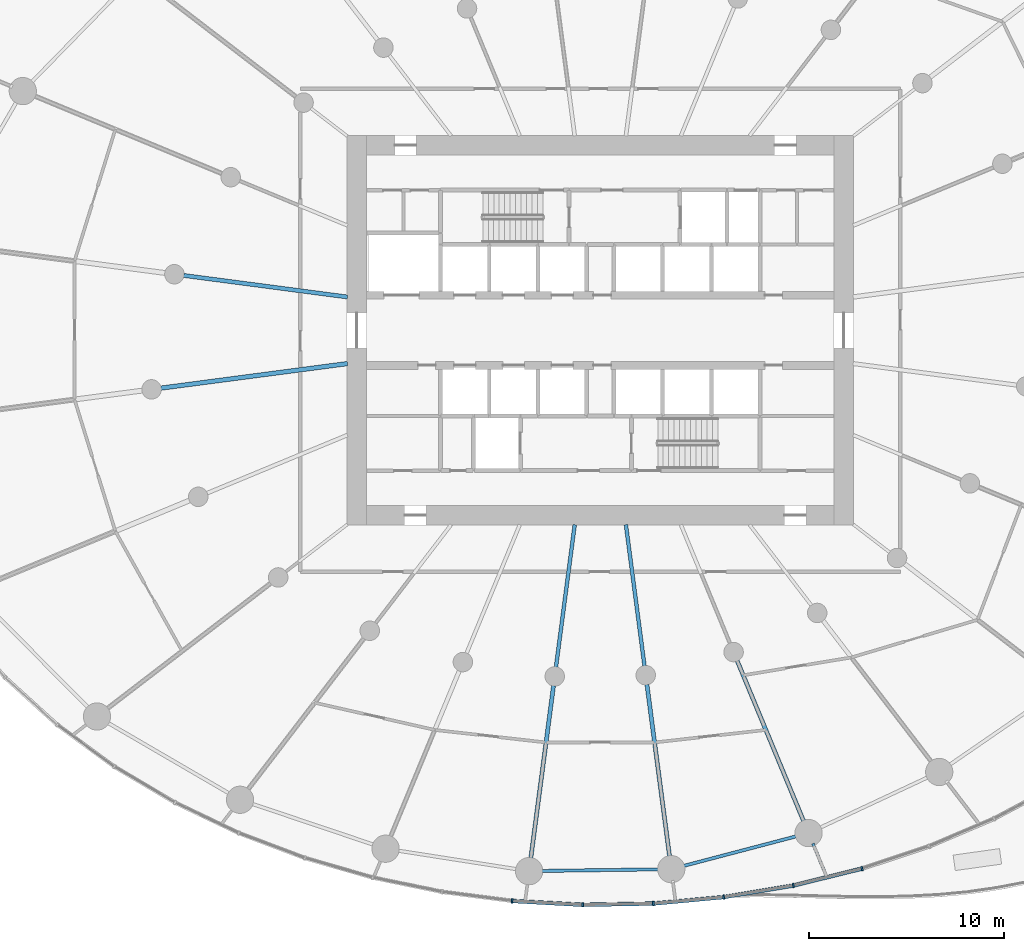
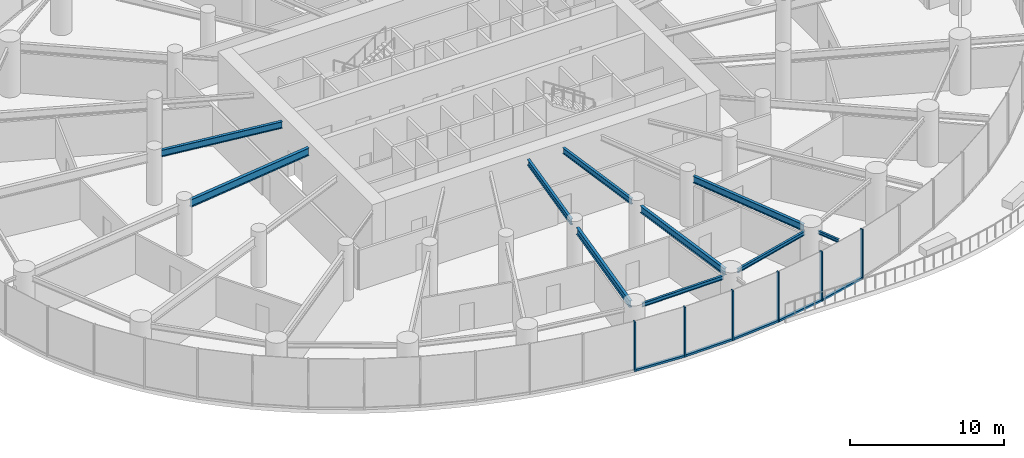
# One storey, part 3 of 21: 11 members, 10 beams, 2 elements without a shape of their own.
"""IFC4 building model written with IfcOpenShell, lengths in metres."""

from ifc_helpers import new_model, si_unit, direction, frame, origin, origin_2d, place, context, subcontext, project, spatial, rectangle, i_section, extrude, source, transform, mapped, material, layer, layer_set, material_profile, profile_set, type_object, element, aggregate, save


model = new_model("IFC4")

# Units and contexts
model_context = context("Model", 3, precision=1e-05, world=origin(), true_north=direction((0.0, 1.0)))
body_context = subcontext(model_context, "Body", "Model", "MODEL_VIEW")
ifc_project = project(units=[si_unit("LENGTHUNIT", "METRE"), si_unit("AREAUNIT", "SQUARE_METRE"), si_unit("VOLUMEUNIT", "CUBIC_METRE"), si_unit("PLANEANGLEUNIT", "RADIAN"), si_unit("MASSUNIT", "GRAM", prefix="KILO")], contexts=[model_context])

# Site, building, storey
site_placement = place(None, origin())
site = spatial("IfcSite", under=ifc_project, at=site_placement, CompositionType="ELEMENT")
building_placement = place(site_placement, origin())
building = spatial("IfcBuilding", under=site, at=building_placement, Name="Spindrift Exchange Tower", CompositionType="ELEMENT")
storey_placement = place(building_placement, frame((0.0, 0.0, 18.199951171875)))
storey = spatial("IfcBuildingStorey", under=building, at=storey_placement, Name="L04", CompositionType="ELEMENT", Elevation=18.199951171875)

# Beams
ifc_material_1 = material(Name="Steel Grade 300", Category="steel")
ifc_material_profile_1 = material_profile(ifc_material_1, i_section(OverallWidth=0.22802734375, OverallDepth=0.60693359375, WebThickness=0.01123046875, FlangeThickness=0.017333984375, FilletRadius=0.013916015625, at=origin_2d()), Name="610UB113")
ifc_profile_set_1 = profile_set([ifc_material_profile_1], Name="Steel Grade 300")
beam_type_1 = type_object("IfcBeamType", Name="Floor Beam 610UB113 Steel Grade 300", PredefinedType="BEAM", material=ifc_profile_set_1)
shared_shape_1 = source(origin(), body_context, "Body", "SweptSolid", [
    extrude(i_section(OverallWidth=0.22802734375, OverallDepth=0.60693359375, WebThickness=0.01123046875, FlangeThickness=0.017333984375, FilletRadius=0.013916015625, at=origin_2d()), origin(), (0.0, 0.0, 1.0), 9.660400390625),
])
beam_1_placement = place(storey_placement, frame((39.019775390625, 46.291015625, 3.646484375), z_axis=(-0.99144767089, -0.130504850054, 0.0), x_axis=(0.130504850054, -0.99144767089, 0.0)))
element("IfcBeam", 1, at=beam_1_placement, inside=storey, type_object=beam_type_1, Name="L04 radial beam R13A", PredefinedType="BEAM", context=body_context, shape_type="MappedRepresentation", body=[
    mapped(shared_shape_1, transform((0.0, 0.0, 0.0), scale=1.0)),
])
ifc_material_profile_2 = material_profile(ifc_material_1, i_section(OverallWidth=0.18994140625, OverallDepth=0.45703125, WebThickness=0.009033203125, FlangeThickness=0.014404296875, FilletRadius=0.013916015625, at=origin_2d()), Name="460UB74.6")
ifc_profile_set_2 = profile_set([ifc_material_profile_2], Name="Steel Grade 300")
beam_type_2 = type_object("IfcBeamType", Name="Floor Beam 460UB74.6 Steel Grade 300", PredefinedType="BEAM", material=ifc_profile_set_2)
shared_shape_2 = source(origin(), body_context, "Body", "SweptSolid", [
    extrude(i_section(OverallWidth=0.18994140625, OverallDepth=0.45703125, WebThickness=0.009033203125, FlangeThickness=0.014404296875, FilletRadius=0.013916015625, at=origin_2d()), origin(), (0.0, 0.0, 1.0), 7.374267578125),
])
beam_2_placement = place(storey_placement, frame((50.68603515625, 38.019775390625, 3.721435546875), z_axis=(-0.130539295622, -0.99144313619, 0.0), x_axis=(0.99144313619, -0.130539295622, 0.0)))
element("IfcBeam", 2, at=beam_2_placement, inside=storey, type_object=beam_type_2, Name="L04 radial beam R18A", PredefinedType="BEAM", context=body_context, shape_type="MappedRepresentation", body=[
    mapped(shared_shape_2, transform((0.0, 0.0, 0.0), scale=1.0)),
])
ifc_material_profile_3 = material_profile(ifc_material_1, i_section(OverallWidth=0.208984375, OverallDepth=0.532958984375, WebThickness=0.01025390625, FlangeThickness=0.015625, FilletRadius=0.013916015625, at=origin_2d()), Name="530UB92.4")
ifc_profile_set_3 = profile_set([ifc_material_profile_3], Name="Steel Grade 300")
beam_type_3 = type_object("IfcBeamType", Name="Floor Beam 530UB92.4 Steel Grade 300", PredefinedType="BEAM", material=ifc_profile_set_3)
shared_shape_3 = source(origin(), body_context, "Body", "SweptSolid", [
    extrude(i_section(OverallWidth=0.208984375, OverallDepth=0.532958984375, WebThickness=0.01025390625, FlangeThickness=0.015625, FilletRadius=0.013916015625, at=origin_2d()), origin(), (0.0, 0.0, 1.0), 9.020263671875),
])
beam_3_placement = place(storey_placement, frame((49.59814453125, 29.7568359375, 3.68359375), z_axis=(-0.13051122338, -0.991446831944, 0.0), x_axis=(0.991446831944, -0.13051122338, 0.0)))
element("IfcBeam", 3, at=beam_3_placement, inside=storey, type_object=beam_type_3, Name="L04 radial beam R18B", PredefinedType="BEAM", context=body_context, shape_type="MappedRepresentation", body=[
    mapped(shared_shape_3, transform((0.0, 0.0, 0.0), scale=1.0)),
])
shared_shape_4 = source(origin(), body_context, "Body", "SweptSolid", [
    extrude(i_section(OverallWidth=0.18994140625, OverallDepth=0.45703125, WebThickness=0.009033203125, FlangeThickness=0.014404296875, FilletRadius=0.013916015625, at=origin_2d()), origin(), (0.0, 0.0, 1.0), 7.3095703125),
])
beam_4_placement = place(storey_placement, frame((53.31396484375, 38.019775390625, 3.721435546875), z_axis=(0.130527087244, -0.991444743541, 0.0), x_axis=(0.991444743541, 0.130527087244, 0.0)))
element("IfcBeam", 4, at=beam_4_placement, inside=storey, type_object=beam_type_2, Name="L04 radial beam R19A", PredefinedType="BEAM", context=body_context, shape_type="MappedRepresentation", body=[
    mapped(shared_shape_4, transform((0.0, 0.0, 0.0), scale=1.0)),
])
shared_shape_5 = source(origin(), body_context, "Body", "SweptSolid", [
    extrude(i_section(OverallWidth=0.208984375, OverallDepth=0.532958984375, WebThickness=0.01025390625, FlangeThickness=0.015625, FilletRadius=0.013916015625, at=origin_2d()), origin(), (0.0, 0.0, 1.0), 8.98388671875),
])
beam_5_placement = place(storey_placement, frame((54.393310546875, 29.82080078125, 3.68359375), z_axis=(0.130524106785, -0.991445135924, 0.0), x_axis=(0.991445135924, 0.130524106785, 0.0)))
element("IfcBeam", 5, at=beam_5_placement, inside=storey, type_object=beam_type_3, Name="L04 radial beam R19B", PredefinedType="BEAM", context=body_context, shape_type="MappedRepresentation", body=[
    mapped(shared_shape_5, transform((0.0, 0.0, 0.0), scale=1.0)),
])
shared_shape_6 = source(origin(), body_context, "Body", "SweptSolid", [
    extrude(i_section(OverallWidth=0.208984375, OverallDepth=0.532958984375, WebThickness=0.01025390625, FlangeThickness=0.015625, FilletRadius=0.013916015625, at=origin_2d()), origin(), (0.0, 0.0, 1.0), 8.99658203125),
])
beam_6_placement = place(storey_placement, frame((59.025390625, 31.0390625, 3.68359375), z_axis=(0.382685731718, -0.923878580085, 0.0), x_axis=(0.923878580085, 0.382685731718, 0.0)))
element("IfcBeam", 6, at=beam_6_placement, inside=storey, type_object=beam_type_3, Name="L04 radial beam R20B", PredefinedType="BEAM", context=body_context, shape_type="MappedRepresentation", body=[
    mapped(shared_shape_6, transform((0.0, 0.0, 0.0), scale=1.0)),
])
ifc_material_profile_4 = material_profile(ifc_material_1, i_section(OverallWidth=0.14599609375, OverallDepth=0.251953125, WebThickness=0.006103515625, FlangeThickness=0.008544921875, FilletRadius=0.011962890625, at=origin_2d()), Name="250UB31.4")
ifc_profile_set_4 = profile_set([ifc_material_profile_4], Name="Steel Grade 300")
beam_type_4 = type_object("IfcBeamType", Name="Cantilever Beam 250UB31.4 Steel Grade 300", PredefinedType="BEAM", material=ifc_profile_set_4)
shared_shape_7 = source(origin(), body_context, "Body", "SweptSolid", [
    extrude(i_section(OverallWidth=0.14599609375, OverallDepth=0.251953125, WebThickness=0.006103515625, FlangeThickness=0.008544921875, FilletRadius=0.011962890625, at=origin_2d()), origin(), (0.0, 0.0, 1.0), 1.677978515625),
])
beam_7_placement = place(storey_placement, frame((62.912109375, 21.655517578125, 3.823974609375), z_axis=(0.382775805905, -0.923841264728, 0.0), x_axis=(0.923841264728, 0.382775805905, 0.0)))
element("IfcBeam", 7, at=beam_7_placement, inside=storey, type_object=beam_type_4, Name="L04 cantilever beam R20T", PredefinedType="BEAM", context=body_context, shape_type="MappedRepresentation", body=[
    mapped(shared_shape_7, transform((0.0, 0.0, 0.0), scale=1.0)),
])
shared_shape_8 = source(origin(), body_context, "Body", "SweptSolid", [
    extrude(i_section(OverallWidth=0.208984375, OverallDepth=0.532958984375, WebThickness=0.01025390625, FlangeThickness=0.015625, FilletRadius=0.013916015625, at=origin_2d()), origin(), (0.0, 0.0, 1.0), 8.4794921875),
])
beam_8_placement = place(storey_placement, frame((39.019775390625, 49.708984375, 3.68359375), z_axis=(-0.991446551951, 0.13051335037, 0.0), x_axis=(-0.13051335037, -0.991446551951, 0.0)))
element("IfcBeam", 8, at=beam_8_placement, inside=storey, type_object=beam_type_3, Name="L04 radial beam R12A", PredefinedType="BEAM", context=body_context, shape_type="MappedRepresentation", body=[
    mapped(shared_shape_8, transform((0.0, 0.0, 0.0), scale=1.0)),
])
ifc_material_profile_5 = material_profile(ifc_material_1, i_section(OverallWidth=0.1650390625, OverallDepth=0.303955078125, WebThickness=0.006103515625, FlangeThickness=0.01025390625, FilletRadius=0.011474609375, at=origin_2d()), Name="310UB40.4")
ifc_profile_set_5 = profile_set([ifc_material_profile_5], Name="Steel Grade 300")
beam_type_5 = type_object("IfcBeamType", Name="Edge Beam 310UB40.4 Steel Grade 300", PredefinedType="SPANDREL", material=ifc_profile_set_5)
shared_shape_9 = source(origin(), body_context, "Body", "SweptSolid", [
    extrude(i_section(OverallWidth=0.1650390625, OverallDepth=0.303955078125, WebThickness=0.006103515625, FlangeThickness=0.01025390625, FilletRadius=0.011474609375, at=origin_2d()), origin(), (0.0, 0.0, 1.0), 6.13720703125),
])
beam_9_placement = place(storey_placement, frame((48.925048828125, 20.24658203125, 3.798095703125), z_axis=(0.999905820907, 0.013724041543, 0.0), x_axis=(-0.013724041543, 0.999905820907, 0.0)))
element("IfcBeam", 9, at=beam_9_placement, inside=storey, type_object=beam_type_5, Name="L04 edge beam E18", PredefinedType="SPANDREL", context=body_context, shape_type="MappedRepresentation", body=[
    mapped(shared_shape_9, transform((0.0, 0.0, 0.0), scale=1.0)),
])
shared_shape_10 = source(origin(), body_context, "Body", "SweptSolid", [
    extrude(i_section(OverallWidth=0.1650390625, OverallDepth=0.303955078125, WebThickness=0.006103515625, FlangeThickness=0.01025390625, FilletRadius=0.011474609375, at=origin_2d()), origin(), (0.0, 0.0, 1.0), 6.128173828125),
])
beam_10_placement = place(storey_placement, frame((56.20263671875, 20.486083984375, 3.798095703125), z_axis=(0.967147261855, 0.254216785216, 0.0), x_axis=(-0.254216785216, 0.967147261855, 0.0)))
element("IfcBeam", 10, at=beam_10_placement, inside=storey, type_object=beam_type_5, Name="L04 edge beam E19", PredefinedType="SPANDREL", context=body_context, shape_type="MappedRepresentation", body=[
    mapped(shared_shape_10, transform((0.0, 0.0, 0.0), scale=1.0)),
])

# Curtain wall, members
ifc_material_2 = material(Name="Fritted laminated glass with bronze frame", Category="glass")
ifc_layer = layer(ifc_material_2, 0.219970703125)
ifc_layer_set = layer_set([ifc_layer], Name="PODIUM BRONZE GLAZED WALL")
curtain_wall_type = type_object("IfcCurtainWallType", Name="PODIUM BRONZE GLAZED WALL", PredefinedType="NOTDEFINED", material=ifc_layer_set)
curtain_wall_1_placement = place(storey_placement, origin())
curtain_wall_1 = element("IfcCurtainWall", 11, at=curtain_wall_1_placement, inside=storey, type_object=curtain_wall_type, Name="L04 Podium Bronze Glazed Wall run 8", PredefinedType="NOTDEFINED")
ifc_material_3 = material(Name="Bronze anodised aluminium", Category="aluminium")
ifc_material_profile_6 = material_profile(ifc_material_3, rectangle(XDim=0.090087890625, YDim=0.219970703125, at=origin_2d()), Name="PODIUM BRONZE GLAZED WALL MULLION 90X220")
ifc_profile_set_6 = profile_set([ifc_material_profile_6], Name="Bronze anodised aluminium")
member_type_1 = type_object("IfcMemberType", Name="PODIUM BRONZE GLAZED WALL MULLION 90X220", PredefinedType="MULLION", material=ifc_profile_set_6)
shared_shape_11 = source(origin(), body_context, "Body", "SweptSolid", [
    extrude(rectangle(XDim=0.090087890625, YDim=0.219970703125, at=origin_2d()), origin(), (0.0, 0.0, 1.0), 3.949951171875),
])
member_1_placement = place(storey_placement, frame((47.470947265625, 18.706298828125, 0.0), z_axis=(0.0, 0.0, 1.0), x_axis=(0.995826086123, -0.09127105892, 0.0)))
member_1 = element("IfcMember", 12, at=member_1_placement, type_object=member_type_1, Name="L04 mullion CW-P.44", PredefinedType="MULLION", context=body_context, shape_type="MappedRepresentation", body=[
    mapped(shared_shape_11, transform((0.0, 0.0, 0.0), scale=1.0)),
])
member_2_placement = place(storey_placement, frame((51.093017578125, 18.50830078125, 0.0), z_axis=(0.0, 0.0, 1.0), x_axis=(0.999833990796, -0.018220616052, 0.0)))
member_2 = element("IfcMember", 13, at=member_2_placement, type_object=member_type_1, Name="L04 mullion CW-P.45", PredefinedType="MULLION", context=body_context, shape_type="MappedRepresentation", body=[
    mapped(shared_shape_11, transform((0.0, 0.0, 0.0), scale=1.0)),
])
member_3_placement = place(storey_placement, frame((54.7197265625, 18.57421875, 0.0), z_axis=(0.0, 0.0, 1.0), x_axis=(0.998502626093, 0.054703799552, 0.0)))
member_3 = element("IfcMember", 14, at=member_3_placement, type_object=member_type_1, Name="L04 mullion CW-P.46", PredefinedType="MULLION", context=body_context, shape_type="MappedRepresentation", body=[
    mapped(shared_shape_11, transform((0.0, 0.0, 0.0), scale=1.0)),
])
member_4_placement = place(storey_placement, frame((58.33203125, 18.90478515625, 0.0), z_axis=(0.0, 0.0, 1.0), x_axis=(0.991779042534, 0.127962224075, 0.0)))
member_4 = element("IfcMember", 15, at=member_4_placement, type_object=member_type_1, Name="L04 mullion CW-P.47", PredefinedType="MULLION", context=body_context, shape_type="MappedRepresentation", body=[
    mapped(shared_shape_11, transform((0.0, 0.0, 0.0), scale=1.0)),
])
member_5_placement = place(storey_placement, frame((61.909912109375, 19.501953125, 0.0), z_axis=(0.0, 0.0, 1.0), x_axis=(0.979401994685, 0.201920114915, 0.0)))
member_5 = element("IfcMember", 16, at=member_5_placement, type_object=member_type_1, Name="L04 mullion CW-P.48", PredefinedType="MULLION", context=body_context, shape_type="MappedRepresentation", body=[
    mapped(shared_shape_11, transform((0.0, 0.0, 0.0), scale=1.0)),
])

# Curtain wall, member
curtain_wall_2_placement = place(storey_placement, origin())
curtain_wall_2 = element("IfcCurtainWall", 17, at=curtain_wall_2_placement, inside=storey, type_object=curtain_wall_type, Name="L04 Podium Bronze Glazed Wall run 9", PredefinedType="NOTDEFINED")
member_6_placement = place(storey_placement, frame((65.43212890625, 20.36865234375, 0.0), z_axis=(0.0, 0.0, 1.0), x_axis=(0.960884228784, 0.276950354529, 0.0)))
member_6 = element("IfcMember", 18, at=member_6_placement, type_object=member_type_1, Name="L04 mullion CW-P.49", PredefinedType="MULLION", context=body_context, shape_type="MappedRepresentation", body=[
    mapped(shared_shape_11, transform((0.0, 0.0, 0.0), scale=1.0)),
])
aggregate(curtain_wall_2, [member_6])

# Member
ifc_material_profile_7 = material_profile(ifc_material_3, rectangle(XDim=0.199951171875, YDim=0.159912109375, at=origin_2d()), Name="PODIUM BRONZE GLAZED WALL TRANSOM 200X160")
ifc_profile_set_7 = profile_set([ifc_material_profile_7], Name="Bronze anodised aluminium")
member_type_2 = type_object("IfcMemberType", Name="PODIUM BRONZE GLAZED WALL TRANSOM 200X160", PredefinedType="USERDEFINED", material=ifc_profile_set_7)
shared_shape_12 = source(origin(), body_context, "Body", "SweptSolid", [
    extrude(rectangle(XDim=0.199951171875, YDim=0.159912109375, at=origin_2d()), origin(), (0.0, 0.0, 1.0), 3.537353515625),
])
member_7_placement = place(storey_placement, frame((51.137939453125, 18.509033203125, 0.080078125), z_axis=(0.999833998204, 0.018220209534, 0.0), x_axis=(-0.018220209534, 0.999833998204, 0.0)))
member_7 = element("IfcMember", 19, at=member_7_placement, type_object=member_type_2, Name="L04 transom CW-P.45", ObjectType="TRANSOM", PredefinedType="USERDEFINED", context=body_context, shape_type="MappedRepresentation", body=[
    mapped(shared_shape_12, transform((0.0, 0.0, 0.0), scale=1.0)),
])

member_8_placement = place(storey_placement, frame((54.7646484375, 18.578369140625, 0.080078125), z_axis=(0.995835302099, 0.091170450764, 0.0), x_axis=(-0.091170450764, 0.995835302099, 0.0)))
member_8 = element("IfcMember", 20, at=member_8_placement, type_object=member_type_2, Name="L04 transom CW-P.46", ObjectType="TRANSOM", PredefinedType="USERDEFINED", context=body_context, shape_type="MappedRepresentation", body=[
    mapped(shared_shape_12, transform((0.0, 0.0, 0.0), scale=1.0)),
])

member_9_placement = place(storey_placement, frame((61.95361328125, 19.5126953125, 0.080078125), z_axis=(0.971033112864, 0.238944959609, 0.0), x_axis=(-0.238944959609, 0.971033112864, 0.0)))
member_9 = element("IfcMember", 21, at=member_9_placement, type_object=member_type_2, Name="L04 transom CW-P.48", ObjectType="TRANSOM", PredefinedType="USERDEFINED", context=body_context, shape_type="MappedRepresentation", body=[
    mapped(shared_shape_12, transform((0.0, 0.0, 0.0), scale=1.0)),
])

shared_shape_13 = source(origin(), body_context, "Body", "SweptSolid", [
    extrude(rectangle(XDim=0.199951171875, YDim=0.159912109375, at=origin_2d()), origin(), (0.0, 0.0, 1.0), 3.53759765625),
])
member_10_placement = place(storey_placement, frame((47.515869140625, 18.703857421875, 0.080078125), z_axis=(0.998508807536, -0.054590853384, 0.0), x_axis=(0.054590853384, 0.998508807536, 0.0)))
member_10 = element("IfcMember", 22, at=member_10_placement, type_object=member_type_2, Name="L04 transom CW-P.44", ObjectType="TRANSOM", PredefinedType="USERDEFINED", context=body_context, shape_type="MappedRepresentation", body=[
    mapped(shared_shape_13, transform((0.0, 0.0, 0.0), scale=1.0)),
])

member_11_placement = place(storey_placement, frame((58.37646484375, 18.912353515625, 0.080078125), z_axis=(0.986360328466, 0.164600432647, 0.0), x_axis=(-0.164600432647, 0.986360328466, 0.0)))
member_11 = element("IfcMember", 23, at=member_11_placement, type_object=member_type_2, Name="L04 transom CW-P.47", ObjectType="TRANSOM", PredefinedType="USERDEFINED", context=body_context, shape_type="MappedRepresentation", body=[
    mapped(shared_shape_13, transform((0.0, 0.0, 0.0), scale=1.0)),
])

aggregate(curtain_wall_1, [member_1, member_10, member_2, member_7, member_3, member_8, member_4, member_11, member_5, member_9])

save(model, "model.ifc")
